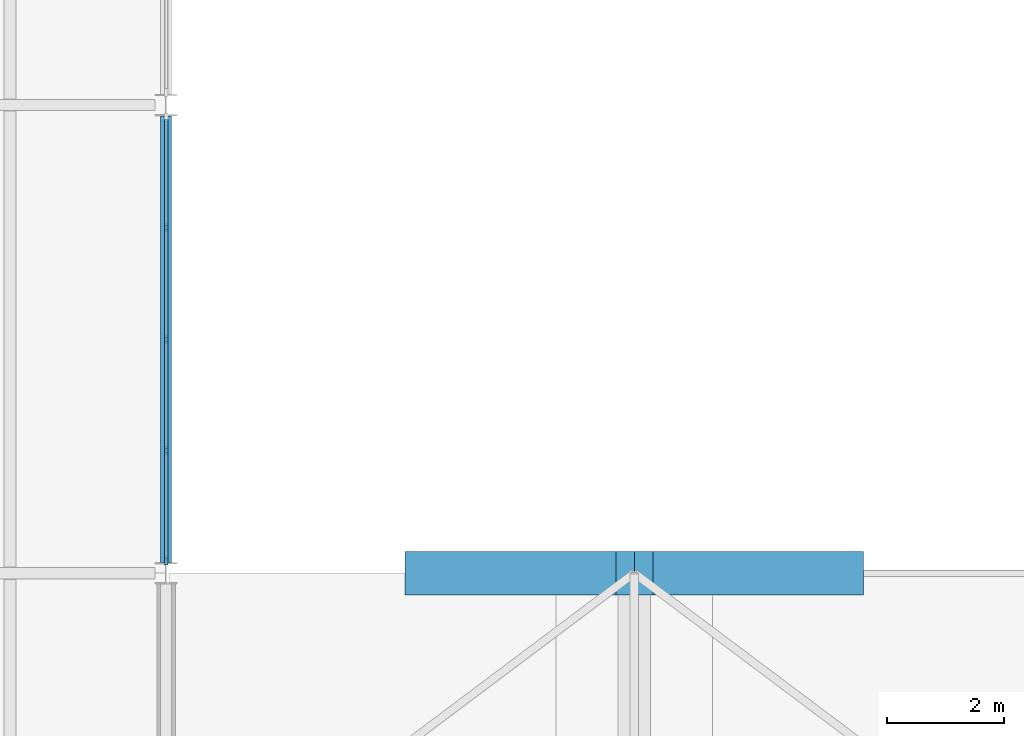
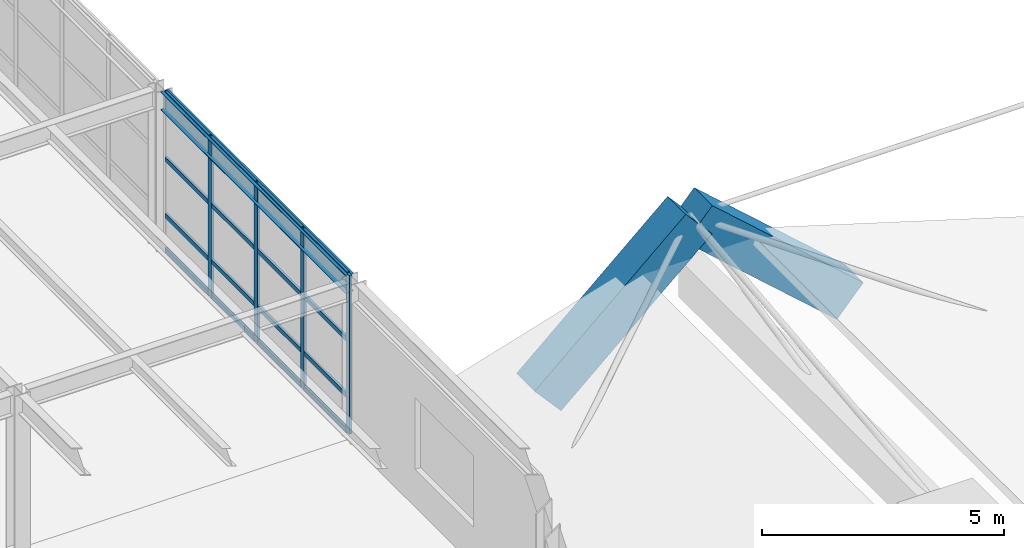
# One storey, part 15 of 50: 22 members, 1 beam, 1 element without a shape of its own.
"""IFC4 building model written with IfcOpenShell, lengths in metres."""

from ifc_helpers import new_model, si_unit, direction, frame, origin, origin_2d, place, context, subcontext, project, spatial, rectangle, i_section, extrude, material, layer, layer_set, material_profile, profile_set, type_object, element, aggregate, save


model = new_model("IFC4")

# Units and contexts
model_context = context("Model", 3, precision=1e-05, world=origin(), true_north=direction((0.0, 1.0)))
body_context = subcontext(model_context, "Body", "Model", "MODEL_VIEW")
ifc_project = project(units=[si_unit("LENGTHUNIT", "METRE"), si_unit("AREAUNIT", "SQUARE_METRE"), si_unit("VOLUMEUNIT", "CUBIC_METRE"), si_unit("PLANEANGLEUNIT", "RADIAN"), si_unit("MASSUNIT", "GRAM", prefix="KILO")], contexts=[model_context])

# Site, building, storey
site_placement = place(None, origin())
site = spatial("IfcSite", under=ifc_project, at=site_placement, CompositionType="ELEMENT")
building_placement = place(site_placement, origin())
building = spatial("IfcBuilding", under=site, at=building_placement, Name="Varnela Railside Interchange", CompositionType="ELEMENT")
storey_placement = place(building_placement, frame((0.0, 0.0, 15.39990234375)))
storey = spatial("IfcBuildingStorey", under=building, at=storey_placement, Name="L03", CompositionType="ELEMENT", Elevation=15.39990234375)

# Curtain wall, members
ifc_material_1 = material(Name="Aluminium 6063-T6", Category="aluminium")
ifc_layer = layer(ifc_material_1, 0.035888671875)
ifc_layer_set = layer_set([ifc_layer], Name="Aluminium 6063-T6")
curtain_wall_type = type_object("IfcCurtainWallType", Name="Operations Wing Facade Curtain Wall CW-03", PredefinedType="USERDEFINED", material=ifc_layer_set)
curtain_wall_placement = place(storey_placement, origin())
curtain_wall = element("IfcCurtainWall", 1, at=curtain_wall_placement, inside=storey, type_object=curtain_wall_type, Name="Curtain Wall CW-03 (L03) (CW-087)", ObjectType="CURTAIN WALL", PredefinedType="USERDEFINED")
ifc_material_profile_1 = material_profile(ifc_material_1, rectangle(XDim=0.06005859375, YDim=0.139892578125, at=origin_2d()), Name="ALU 60x140")
ifc_profile_set_1 = profile_set([ifc_material_profile_1], Name="Aluminium 6063-T6")
member_type_1 = type_object("IfcMemberType", Name="Curtain Wall Mullion ML-01", PredefinedType="MULLION", material=ifc_profile_set_1)
member_1_placement = place(storey_placement, frame((52.0, 67.907958984375, 0.0), z_axis=(0.0, 0.0, 1.0), x_axis=(1.0, 0.0, 0.0)))
member_1 = element("IfcMember", 2, at=member_1_placement, type_object=member_type_1, Name="CW-03 mullion 2", PredefinedType="MULLION", context=body_context, shape_type="SweptSolid", body=[
    extrude(rectangle(XDim=0.06005859375, YDim=0.139892578125, at=origin_2d()), origin(), (0.0, 0.0, 1.0), 4.0),
])
member_2_placement = place(storey_placement, frame((52.0, 66.0, 0.0), z_axis=(0.0, 0.0, 1.0), x_axis=(1.0, 0.0, 0.0)))
member_2 = element("IfcMember", 3, at=member_2_placement, type_object=member_type_1, Name="CW-03 mullion 3", PredefinedType="MULLION", context=body_context, shape_type="SweptSolid", body=[
    extrude(rectangle(XDim=0.06005859375, YDim=0.139892578125, at=origin_2d()), origin(), (0.0, 0.0, 1.0), 4.0),
])
member_3_placement = place(storey_placement, frame((52.0, 64.092041015625, 0.0), z_axis=(0.0, 0.0, 1.0), x_axis=(1.0, 0.0, 0.0)))
member_3 = element("IfcMember", 4, at=member_3_placement, type_object=member_type_1, Name="CW-03 mullion 4", PredefinedType="MULLION", context=body_context, shape_type="SweptSolid", body=[
    extrude(rectangle(XDim=0.06005859375, YDim=0.139892578125, at=origin_2d()), origin(), (0.0, 0.0, 1.0), 4.0),
])
member_4_placement = place(storey_placement, frame((52.0, 62.214111328125, 0.0), z_axis=(0.0, 0.0, 1.0), x_axis=(1.0, 0.0, 0.0)))
member_4 = element("IfcMember", 5, at=member_4_placement, type_object=member_type_1, Name="CW-03 mullion 5", PredefinedType="MULLION", context=body_context, shape_type="SweptSolid", body=[
    extrude(rectangle(XDim=0.06005859375, YDim=0.139892578125, at=origin_2d()), origin(), (0.0, 0.0, 1.0), 4.0),
])
ifc_material_profile_2 = material_profile(ifc_material_1, rectangle(XDim=0.06005859375, YDim=0.110107421875, at=origin_2d()), Name="ALU 60x110")
ifc_profile_set_2 = profile_set([ifc_material_profile_2], Name="Aluminium 6063-T6")
member_type_2 = type_object("IfcMemberType", Name="Curtain Wall Transom TR-01", PredefinedType="USERDEFINED", material=ifc_profile_set_2)
member_5_placement = place(storey_placement, frame((52.0, 69.756103515625, 0.030029296875), z_axis=(0.0, -1.0, 0.0), x_axis=(1.0, 0.0, 0.0)))
member_5 = element("IfcMember", 6, at=member_5_placement, type_object=member_type_2, Name="CW-03 transom 1.1", ObjectType="TRANSOM", PredefinedType="USERDEFINED", context=body_context, shape_type="SweptSolid", body=[
    extrude(rectangle(XDim=0.06005859375, YDim=0.110107421875, at=origin_2d()), origin(), (0.0, 0.0, 1.0), 1.818115234375),
])
member_6_placement = place(storey_placement, frame((52.0, 69.756103515625, 0.900146484375), z_axis=(0.0, -1.0, 0.0), x_axis=(1.0, 0.0, 0.0)))
member_6 = element("IfcMember", 7, at=member_6_placement, type_object=member_type_2, Name="CW-03 transom 1.2", ObjectType="TRANSOM", PredefinedType="USERDEFINED", context=body_context, shape_type="SweptSolid", body=[
    extrude(rectangle(XDim=0.06005859375, YDim=0.110107421875, at=origin_2d()), origin(), (0.0, 0.0, 1.0), 1.818115234375),
])
member_7_placement = place(storey_placement, frame((52.0, 69.756103515625, 2.320068359375), z_axis=(0.0, -1.0, 0.0), x_axis=(1.0, 0.0, 0.0)))
member_7 = element("IfcMember", 8, at=member_7_placement, type_object=member_type_2, Name="CW-03 transom 1.3", ObjectType="TRANSOM", PredefinedType="USERDEFINED", context=body_context, shape_type="SweptSolid", body=[
    extrude(rectangle(XDim=0.06005859375, YDim=0.110107421875, at=origin_2d()), origin(), (0.0, 0.0, 1.0), 1.818115234375),
])
member_8_placement = place(storey_placement, frame((52.0, 69.756103515625, 3.97021484375), z_axis=(0.0, -1.0, 0.0), x_axis=(1.0, 0.0, 0.0)))
member_8 = element("IfcMember", 9, at=member_8_placement, type_object=member_type_2, Name="CW-03 transom 1.4", ObjectType="TRANSOM", PredefinedType="USERDEFINED", context=body_context, shape_type="SweptSolid", body=[
    extrude(rectangle(XDim=0.06005859375, YDim=0.110107421875, at=origin_2d()), origin(), (0.0, 0.0, 1.0), 1.818115234375),
])
member_9_placement = place(storey_placement, frame((52.0, 67.8779296875, 0.030029296875), z_axis=(0.0, -1.0, 0.0), x_axis=(1.0, 0.0, 0.0)))
member_9 = element("IfcMember", 10, at=member_9_placement, type_object=member_type_2, Name="CW-03 transom 2.1", ObjectType="TRANSOM", PredefinedType="USERDEFINED", context=body_context, shape_type="SweptSolid", body=[
    extrude(rectangle(XDim=0.06005859375, YDim=0.110107421875, at=origin_2d()), origin(), (0.0, 0.0, 1.0), 1.847900390625),
])
member_10_placement = place(storey_placement, frame((52.0, 67.8779296875, 0.900146484375), z_axis=(0.0, -1.0, 0.0), x_axis=(1.0, 0.0, 0.0)))
member_10 = element("IfcMember", 11, at=member_10_placement, type_object=member_type_2, Name="CW-03 transom 2.2", ObjectType="TRANSOM", PredefinedType="USERDEFINED", context=body_context, shape_type="SweptSolid", body=[
    extrude(rectangle(XDim=0.06005859375, YDim=0.110107421875, at=origin_2d()), origin(), (0.0, 0.0, 1.0), 1.847900390625),
])
member_11_placement = place(storey_placement, frame((52.0, 67.8779296875, 2.320068359375), z_axis=(0.0, -1.0, 0.0), x_axis=(1.0, 0.0, 0.0)))
member_11 = element("IfcMember", 12, at=member_11_placement, type_object=member_type_2, Name="CW-03 transom 2.3", ObjectType="TRANSOM", PredefinedType="USERDEFINED", context=body_context, shape_type="SweptSolid", body=[
    extrude(rectangle(XDim=0.06005859375, YDim=0.110107421875, at=origin_2d()), origin(), (0.0, 0.0, 1.0), 1.847900390625),
])
member_12_placement = place(storey_placement, frame((52.0, 67.8779296875, 3.97021484375), z_axis=(0.0, -1.0, 0.0), x_axis=(1.0, 0.0, 0.0)))
member_12 = element("IfcMember", 13, at=member_12_placement, type_object=member_type_2, Name="CW-03 transom 2.4", ObjectType="TRANSOM", PredefinedType="USERDEFINED", context=body_context, shape_type="SweptSolid", body=[
    extrude(rectangle(XDim=0.06005859375, YDim=0.110107421875, at=origin_2d()), origin(), (0.0, 0.0, 1.0), 1.847900390625),
])
member_13_placement = place(storey_placement, frame((52.0, 65.969970703125, 0.030029296875), z_axis=(0.0, -1.0, 0.0), x_axis=(1.0, 0.0, 0.0)))
member_13 = element("IfcMember", 14, at=member_13_placement, type_object=member_type_2, Name="CW-03 transom 3.1", ObjectType="TRANSOM", PredefinedType="USERDEFINED", context=body_context, shape_type="SweptSolid", body=[
    extrude(rectangle(XDim=0.06005859375, YDim=0.110107421875, at=origin_2d()), origin(), (0.0, 0.0, 1.0), 1.847900390625),
])
member_14_placement = place(storey_placement, frame((52.0, 65.969970703125, 0.900146484375), z_axis=(0.0, -1.0, 0.0), x_axis=(1.0, 0.0, 0.0)))
member_14 = element("IfcMember", 15, at=member_14_placement, type_object=member_type_2, Name="CW-03 transom 3.2", ObjectType="TRANSOM", PredefinedType="USERDEFINED", context=body_context, shape_type="SweptSolid", body=[
    extrude(rectangle(XDim=0.06005859375, YDim=0.110107421875, at=origin_2d()), origin(), (0.0, 0.0, 1.0), 1.847900390625),
])
member_15_placement = place(storey_placement, frame((52.0, 65.969970703125, 2.320068359375), z_axis=(0.0, -1.0, 0.0), x_axis=(1.0, 0.0, 0.0)))
member_15 = element("IfcMember", 16, at=member_15_placement, type_object=member_type_2, Name="CW-03 transom 3.3", ObjectType="TRANSOM", PredefinedType="USERDEFINED", context=body_context, shape_type="SweptSolid", body=[
    extrude(rectangle(XDim=0.06005859375, YDim=0.110107421875, at=origin_2d()), origin(), (0.0, 0.0, 1.0), 1.847900390625),
])
member_16_placement = place(storey_placement, frame((52.0, 65.969970703125, 3.97021484375), z_axis=(0.0, -1.0, 0.0), x_axis=(1.0, 0.0, 0.0)))
member_16 = element("IfcMember", 17, at=member_16_placement, type_object=member_type_2, Name="CW-03 transom 3.4", ObjectType="TRANSOM", PredefinedType="USERDEFINED", context=body_context, shape_type="SweptSolid", body=[
    extrude(rectangle(XDim=0.06005859375, YDim=0.110107421875, at=origin_2d()), origin(), (0.0, 0.0, 1.0), 1.847900390625),
])
member_17_placement = place(storey_placement, frame((52.0, 64.06201171875, 0.030029296875), z_axis=(0.0, -1.0, 0.0), x_axis=(1.0, 0.0, 0.0)))
member_17 = element("IfcMember", 18, at=member_17_placement, type_object=member_type_2, Name="CW-03 transom 4.1", ObjectType="TRANSOM", PredefinedType="USERDEFINED", context=body_context, shape_type="SweptSolid", body=[
    extrude(rectangle(XDim=0.06005859375, YDim=0.110107421875, at=origin_2d()), origin(), (0.0, 0.0, 1.0), 1.818115234375),
])
member_18_placement = place(storey_placement, frame((52.0, 64.06201171875, 0.900146484375), z_axis=(0.0, -1.0, 0.0), x_axis=(1.0, 0.0, 0.0)))
member_18 = element("IfcMember", 19, at=member_18_placement, type_object=member_type_2, Name="CW-03 transom 4.2", ObjectType="TRANSOM", PredefinedType="USERDEFINED", context=body_context, shape_type="SweptSolid", body=[
    extrude(rectangle(XDim=0.06005859375, YDim=0.110107421875, at=origin_2d()), origin(), (0.0, 0.0, 1.0), 1.818115234375),
])
member_19_placement = place(storey_placement, frame((52.0, 64.06201171875, 2.320068359375), z_axis=(0.0, -1.0, 0.0), x_axis=(1.0, 0.0, 0.0)))
member_19 = element("IfcMember", 20, at=member_19_placement, type_object=member_type_2, Name="CW-03 transom 4.3", ObjectType="TRANSOM", PredefinedType="USERDEFINED", context=body_context, shape_type="SweptSolid", body=[
    extrude(rectangle(XDim=0.06005859375, YDim=0.110107421875, at=origin_2d()), origin(), (0.0, 0.0, 1.0), 1.818115234375),
])
member_20_placement = place(storey_placement, frame((52.0, 64.06201171875, 3.97021484375), z_axis=(0.0, -1.0, 0.0), x_axis=(1.0, 0.0, 0.0)))
member_20 = element("IfcMember", 21, at=member_20_placement, type_object=member_type_2, Name="CW-03 transom 4.4", ObjectType="TRANSOM", PredefinedType="USERDEFINED", context=body_context, shape_type="SweptSolid", body=[
    extrude(rectangle(XDim=0.06005859375, YDim=0.110107421875, at=origin_2d()), origin(), (0.0, 0.0, 1.0), 1.818115234375),
])
aggregate(curtain_wall, [member_1, member_2, member_3, member_4, member_5, member_6, member_7, member_8, member_9, member_10, member_11, member_12, member_13, member_14, member_15, member_16, member_17, member_18, member_19, member_20])

# Members
ifc_material_2 = material(Name="Concrete C50", Category="concrete")
ifc_material_profile_3 = material_profile(ifc_material_2, rectangle(XDim=0.75, YDim=0.949951171875, at=origin_2d()), Name="RC 750x950")
ifc_profile_set_3 = profile_set([ifc_material_profile_3], Name="Concrete C50")
member_type_3 = type_object("IfcMemberType", Name="Sculpted Concourse A-Frame Mast Strut MS-01", PredefinedType="STRUT", material=ifc_profile_set_3)
for number, where, z_axis, x_axis, name in (
    (22, (56.39990234375, 62.0, -0.39990234375), (0.747423301004, 0.0, 0.664348108386), (0.0, 1.0, 0.0), "Sculpted Concourse A-Frame Mast Strut MS-01 (L03) (MB-0146)"),
    (23, (63.60009765625, 62.0, -0.39990234375), (-0.747423301004, 0.0, 0.664348108386), (0.0, -1.0, 0.0), "Sculpted Concourse A-Frame Mast Strut MS-01 (L03) (MB-0147)"),
):
    element("IfcMember", number, at=place(storey_placement, frame(where, z_axis=z_axis, x_axis=x_axis)), inside=storey, type_object=member_type_3, Name=name, PredefinedType="STRUT", context=body_context, shape_type="SweptSolid", body=[
        extrude(rectangle(XDim=0.75, YDim=0.949951171875, at=origin_2d()), origin(), (0.0, 0.0, 1.0), 4.816650390625),
    ])

# Beam
ifc_material_3 = material(Name="Steel AR 350 (350 MPa)", Category="steel")
ifc_material_profile_4 = material_profile(ifc_material_3, i_section(OverallWidth=0.19091796875, OverallDepth=0.4599609375, WebThickness=0.010009765625, FlangeThickness=0.01611328125, at=origin_2d()), Name="W460x82")
ifc_profile_set_4 = profile_set([ifc_material_profile_4], Name="Steel AR 350 (350 MPa)")
beam_type = type_object("IfcBeamType", Name="Steel Perimeter Spandrel SP-01", PredefinedType="SPANDREL", material=ifc_profile_set_4)
beam_placement = place(storey_placement, frame((52.0, 62.18408203125, 3.77001953125), z_axis=(0.0, 1.0, 0.0), x_axis=(-1.0, 0.0, 0.0)))
element("IfcBeam", 24, at=beam_placement, inside=storey, type_object=beam_type, Name="Steel Perimeter Spandrel SP-01 (L03) (BM-2338)", PredefinedType="SPANDREL", context=body_context, shape_type="SweptSolid", body=[
    extrude(i_section(OverallWidth=0.19091796875, OverallDepth=0.4599609375, WebThickness=0.010009765625, FlangeThickness=0.01611328125, at=origin_2d()), origin(), (0.0, 0.0, 1.0), 7.6318359375),
])

save(model, "model.ifc")
